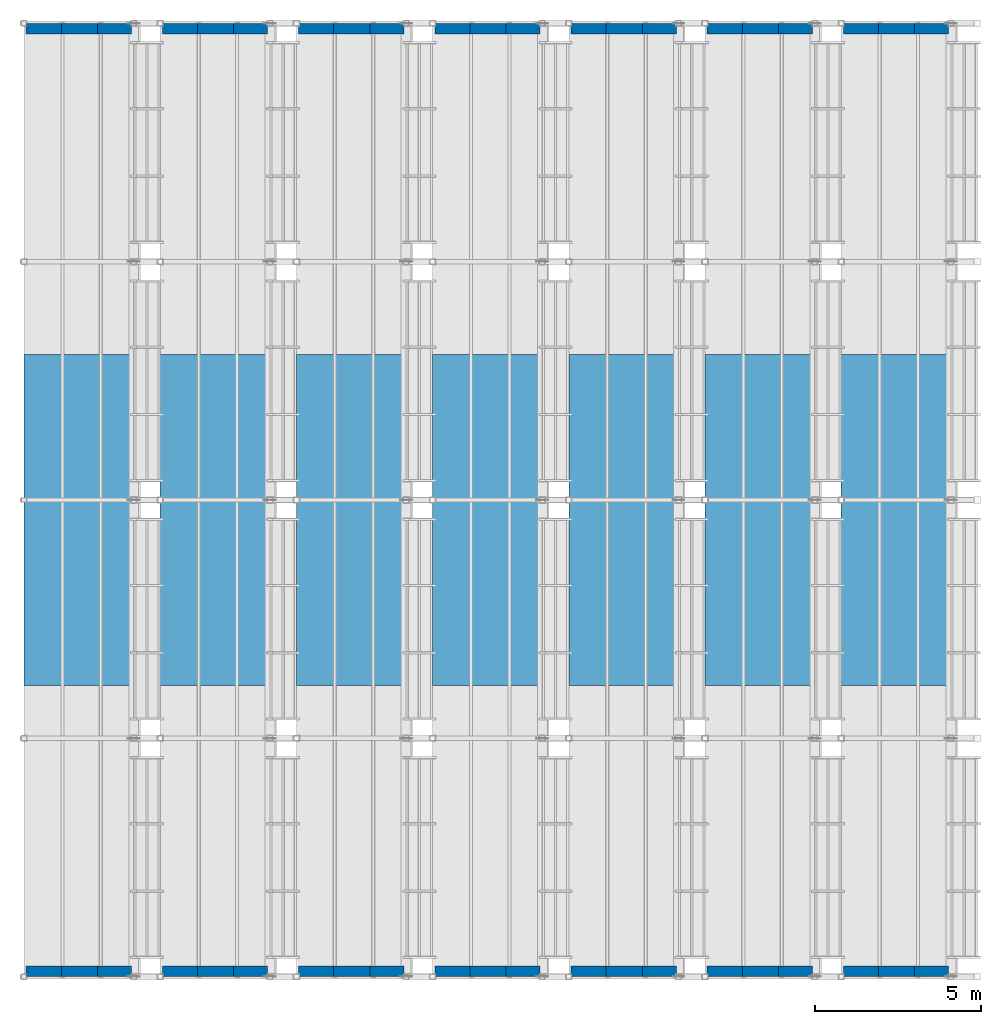
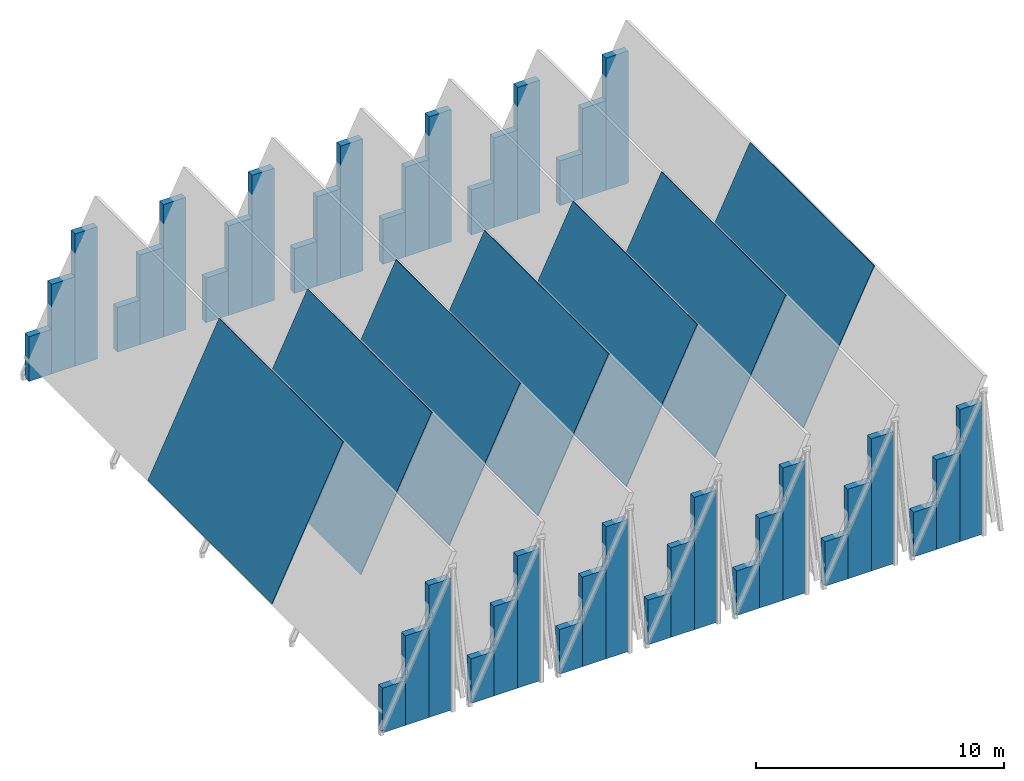
# One storey, part 28 of 28: 42 walls, 7 roofs.
"""IFC4 building model written with IfcOpenShell, lengths in metres."""

import ifcopenshell
import ifcopenshell.guid

model = None  # the IFC model being written
_history = None  # IfcOwnerHistory: only IFC2X3 demands one
_inside = {}  # id of a spatial element -> (the spatial element, [elements in it])
_under = {}  # id of a project, library or spatial element -> (it, [spatial elements below it])
_declared = {}  # id of a project -> (the project, [libraries it declares])
_typed = {}  # id of a type object -> (the type object, [elements of that type])
_made_of = {}  # id of a material, layer set ... -> (it, [elements and type objects made of it])


def new_model(schema):
    """Start an empty IFC model of exactly this schema.

    Asked for "IFC4X3", IfcOpenShell would pick the latest addendum, in which some entities
    have other attributes; the version numbers below select the first issue.
    IFC2X3 requires an IfcOwnerHistory on every rooted entity: one is made here for all.
    """
    global model, _history
    if schema == "IFC4X3":
        model = ifcopenshell.file(schema_version=(4, 3, 0, 0))
    else:
        model = ifcopenshell.file(schema=schema)
    _inside.clear()
    _under.clear()
    _declared.clear()
    _typed.clear()
    _made_of.clear()
    _history = None
    if model.schema == "IFC2X3":
        org = make("IfcOrganization", Name="unknown")
        user = make(
            "IfcPersonAndOrganization",
            ThePerson=make("IfcPerson", FamilyName="unknown"),
            TheOrganization=org,
        )
        app = make(
            "IfcApplication",
            ApplicationDeveloper=org,
            Version="unknown",
            ApplicationFullName="unknown",
            ApplicationIdentifier="unknown",
        )
        _history = make(
            "IfcOwnerHistory",
            OwningUser=user,
            OwningApplication=app,
            ChangeAction="ADDED",
            CreationDate=0,
        )
    return model


def make(cls, **values):
    """One entity of the class cls with the attributes given. An attribute that is None is left unset."""
    return model.create_entity(
        cls, **{name: value for name, value in values.items() if value is not None}
    )


def rooted(cls, **values):
    """An entity with a GlobalId (a new one), such as an element, a storey or a relation."""
    return make(cls, GlobalId=ifcopenshell.guid.new(), OwnerHistory=_history, **values)


def si_unit(unit_type, name, prefix=None):
    """IfcSIUnit, for example si_unit("LENGTHUNIT", "METRE", prefix="MILLI")."""
    return make("IfcSIUnit", UnitType=unit_type, Prefix=prefix, Name=name)


def assignment(units):
    """IfcUnitAssignment: the units of a project."""
    return None if units is None else make("IfcUnitAssignment", Units=units)


def point(xyz):
    """IfcCartesianPoint."""
    return None if xyz is None else make("IfcCartesianPoint", Coordinates=xyz)


def direction(xyz):
    """IfcDirection."""
    return None if xyz is None else make("IfcDirection", DirectionRatios=xyz)


def frame(location, z_axis=None, x_axis=None):
    """IfcAxis2Placement3D, a coordinate frame: its origin and axes. An axis left out is left unset."""
    return make(
        "IfcAxis2Placement3D",
        Location=point(location),
        Axis=direction(z_axis),
        RefDirection=direction(x_axis),
    )


def frame_2d(location, x_axis=None):
    """IfcAxis2Placement2D, a coordinate frame in the plane: its origin and x axis."""
    return make(
        "IfcAxis2Placement2D", Location=point(location), RefDirection=direction(x_axis)
    )


def origin():
    """The frame at (0, 0, 0) with its axes left unset."""
    return frame((0.0, 0.0, 0.0))


def place(relative_to, where):
    """IfcLocalPlacement: puts the frame where relative to a parent placement (None: the world)."""
    return make(
        "IfcLocalPlacement", PlacementRelTo=relative_to, RelativePlacement=where
    )


def context(
    kind, dimensions, precision=None, world=None, true_north=None, identifier=None
):
    """IfcGeometricRepresentationContext, for example the 3D "Model" context."""
    return make(
        "IfcGeometricRepresentationContext",
        ContextIdentifier=identifier,
        ContextType=kind,
        CoordinateSpaceDimension=dimensions,
        Precision=precision,
        WorldCoordinateSystem=world,
        TrueNorth=true_north,
    )


def subcontext(parent, identifier, kind, view, scale=None):
    """IfcGeometricRepresentationSubContext, for example "Body" below "Model"."""
    return make(
        "IfcGeometricRepresentationSubContext",
        ContextIdentifier=identifier,
        ContextType=kind,
        ParentContext=parent,
        TargetScale=scale,
        TargetView=view,
    )


def project(units=None, contexts=None):
    """IfcProject with its units and contexts."""
    return rooted(
        "IfcProject",
        Name="project",
        RepresentationContexts=contexts,
        UnitsInContext=assignment(units),
    )


def spatial(cls, under=None, at=None, **own):
    """A site, building, storey or space (cls), placed at a placement, below another one or the project."""
    s = rooted(cls, ObjectPlacement=at, **own)
    if under is not None:
        _under.setdefault(under.id(), (under, []))[1].append(s)
    return s


def polyline(points):
    """IfcPolyline through the points."""
    return make("IfcPolyline", Points=[point(p) for p in points])


def profile(cls, at=None, kind="AREA", **sizes):
    """A parametric profile (cls). Its sizes go by their IFC names, for example OverallWidth=200.0."""
    return make(cls, ProfileType=kind, Position=at, **sizes)


def rectangle(**sizes):
    """IfcRectangleProfileDef."""
    return profile("IfcRectangleProfileDef", **sizes)


def outline(outer, holes=None, kind="AREA"):
    """IfcArbitraryClosedProfileDef: a profile drawn as a closed curve; with holes, ...WithVoids."""
    if holes is None:
        return make("IfcArbitraryClosedProfileDef", ProfileType=kind, OuterCurve=outer)
    return make(
        "IfcArbitraryProfileDefWithVoids",
        ProfileType=kind,
        OuterCurve=outer,
        InnerCurves=holes,
    )


def extrude(swept, where, along, depth):
    """IfcExtrudedAreaSolid: the profile swept, set in the frame where, extruded along a direction by depth."""
    return make(
        "IfcExtrudedAreaSolid",
        SweptArea=swept,
        Position=where,
        ExtrudedDirection=direction(along),
        Depth=depth,
    )


def shape(context_of_items, identifier, shape_type, items):
    """IfcShapeRepresentation: the items that make up one representation, for example the "Body"."""
    return make(
        "IfcShapeRepresentation",
        ContextOfItems=context_of_items,
        RepresentationIdentifier=identifier,
        RepresentationType=shape_type,
        Items=items,
    )


def material(Name=None, Category=None):
    """IfcMaterial."""
    return make("IfcMaterial", Name=Name, Category=Category)


def layer(
    of_material, thickness, ventilated=None, Name=None, Category=None, Priority=None
):
    """IfcMaterialLayer: one layer of a wall or slab, of a material (None: an air gap)."""
    return make(
        "IfcMaterialLayer",
        Material=of_material,
        LayerThickness=thickness,
        IsVentilated=ventilated,
        Name=Name,
        Category=Category,
        Priority=Priority,
    )


def layer_set(layers, Name=None):
    """IfcMaterialLayerSet."""
    return make("IfcMaterialLayerSet", MaterialLayers=layers, LayerSetName=Name)


def made_of(thing, what):
    """Note that an element or type object is made of a material, layer set ...; save() writes the relation."""
    if what is not None:
        _made_of.setdefault(what.id(), (what, []))[1].append(thing)
    return thing


def type_object(cls, material=None, **own):
    """A type object (cls), such as IfcWallType, which elements share."""
    return made_of(rooted(cls, **own), material)


def element(
    cls,
    number,
    at=None,
    inside=None,
    cuts=None,
    type_object=None,
    material=None,
    context=None,
    identifier="Body",
    shape_type=None,
    held_by="IfcProductDefinitionShape",
    body=None,
    shapes=None,
    **own,
):
    """One element of the class cls, such as IfcWall. Its Tag is "e" and its number.

    at: its placement. inside: the storey or other place that contains it. cuts: it is an
    opening in that element (IfcRelVoidsElement). A single representation is given by context,
    identifier, shape_type and body (its items); several are given by shapes. held_by: the class
    of the entity that holds the representations. save() writes the other relations.
    """
    e = rooted(cls, Tag="e%d" % number, ObjectPlacement=at, **own)
    if body is not None:
        shapes = [shape(context, identifier, shape_type, body)]
    if shapes is not None:
        e.Representation = make(held_by, Representations=shapes)
    if inside is not None:
        _inside.setdefault(inside.id(), (inside, []))[1].append(e)
    if cuts is not None:
        rooted(
            "IfcRelVoidsElement", RelatingBuildingElement=cuts, RelatedOpeningElement=e
        )
    if type_object is not None:
        _typed.setdefault(type_object.id(), (type_object, []))[1].append(e)
    return made_of(e, material)


def aggregate(whole, parts):
    """IfcRelAggregates: a whole, such as a stair, and the parts it consists of."""
    return rooted("IfcRelAggregates", RelatingObject=whole, RelatedObjects=parts)


def save(model, path):
    """Write the relations noted so far, then the file.

    IfcRelAggregates (storeys below a building ...), IfcRelContainedInSpatialStructure (elements
    in a storey), IfcRelDefinesByType, IfcRelAssociatesMaterial and IfcRelDeclares: one each for
    every whole, place, type object, material and project.
    """
    for whole, parts in _under.values():
        aggregate(whole, parts)
    for where, things in _inside.values():
        rooted(
            "IfcRelContainedInSpatialStructure",
            RelatedElements=things,
            RelatingStructure=where,
        )
    for kind, things in _typed.values():
        rooted("IfcRelDefinesByType", RelatedObjects=things, RelatingType=kind)
    for what, things in _made_of.values():
        rooted("IfcRelAssociatesMaterial", RelatedObjects=things, RelatingMaterial=what)
    for by, libraries in _declared.values():
        rooted("IfcRelDeclares", RelatingContext=by, RelatedDefinitions=libraries)
    model.write(path)


model = new_model("IFC4")

# Units and contexts
model_context = context("Model", 3, precision=1e-05, world=origin(), true_north=direction((0.0, 1.0)))
body_context = subcontext(model_context, "Body", "Model", "MODEL_VIEW")
ifc_project = project(units=[si_unit("LENGTHUNIT", "METRE"), si_unit("AREAUNIT", "SQUARE_METRE"), si_unit("VOLUMEUNIT", "CUBIC_METRE"), si_unit("PLANEANGLEUNIT", "RADIAN"), si_unit("MASSUNIT", "GRAM", prefix="KILO")], contexts=[model_context])

# Site, building, storey
site_placement = place(None, origin())
site = spatial("IfcSite", under=ifc_project, at=site_placement, CompositionType="ELEMENT")
building_placement = place(site_placement, origin())
building = spatial("IfcBuilding", under=site, at=building_placement, Name="Bramveld Media Centre", CompositionType="ELEMENT")
storey_placement = place(building_placement, frame((0.0, 0.0, 33.89990234375)))
storey = spatial("IfcBuildingStorey", under=building, at=storey_placement, Name="ROOF", CompositionType="ELEMENT", Elevation=33.89990234375)

# Walls
ifc_material_1 = material(Name="Precast concrete C40/50 & brick-slip faceted bay cheek wall", Category="masonry")
ifc_layer_1 = layer(ifc_material_1, 0.320068359375)
ifc_layer_set_1 = layer_set([ifc_layer_1], Name="Precast concrete C40/50 & brick-slip faceted bay cheek wall")
wall_type = type_object("IfcWallType", Name="EW-FACET-320", PredefinedType="SOLIDWALL", material=ifc_layer_set_1)
for number, where, z_axis, x_axis, name in (
    (1, (132.326904296875, 83.360107421875, 0.0), (0.0, 0.0, 1.0), (-1.0, 0.0, 0.0), "V7 jagged crown gable brick spandrel S B1-1"),
    (2, (131.266357421875, 111.840087890625, 0.0), (0.0, 0.0, 1.0), (1.0, 0.0, 0.0), "V7 jagged crown gable brick spandrel N B1-1"),
):
    element("IfcWall", number, at=place(storey_placement, frame(where, z_axis=z_axis, x_axis=x_axis)), inside=storey, type_object=wall_type, Name=name, PredefinedType="SOLIDWALL", context=body_context, shape_type="SweptSolid", body=[
        extrude(rectangle(XDim=1.060546875, YDim=0.320068359375, at=frame_2d((0.5302734375, 0.0))), origin(), (0.0, 0.0, 1.0), 2.2001953125),
    ])
for number, where, z_axis, x_axis, name in (
    (3, (133.420654296875, 83.360107421875, 0.0), (0.0, 0.0, 1.0), (-1.0, 0.0, 0.0), "V7 jagged crown gable brick spandrel S B1-2"),
    (4, (132.326904296875, 111.840087890625, 0.0), (0.0, 0.0, 1.0), (1.0, 0.0, 0.0), "V7 jagged crown gable brick spandrel N B1-2"),
):
    element("IfcWall", number, at=place(storey_placement, frame(where, z_axis=z_axis, x_axis=x_axis)), inside=storey, type_object=wall_type, Name=name, PredefinedType="SOLIDWALL", context=body_context, shape_type="SweptSolid", body=[
        extrude(rectangle(XDim=1.09375, YDim=0.320068359375, at=frame_2d((0.546875, 0.0))), origin(), (0.0, 0.0, 1.0), 4.400146484375),
    ])
for number, where, z_axis, x_axis, name in (
    (5, (134.447998046875, 83.360107421875, 0.0), (0.0, 0.0, 1.0), (-1.0, 0.0, 0.0), "V7 jagged crown gable brick spandrel S B1-3"),
    (6, (133.420654296875, 111.840087890625, 0.0), (0.0, 0.0, 1.0), (1.0, 0.0, 0.0), "V7 jagged crown gable brick spandrel N B1-3"),
):
    element("IfcWall", number, at=place(storey_placement, frame(where, z_axis=z_axis, x_axis=x_axis)), inside=storey, type_object=wall_type, Name=name, PredefinedType="SOLIDWALL", context=body_context, shape_type="SweptSolid", body=[
        extrude(rectangle(XDim=1.02734375, YDim=0.320068359375, at=frame_2d((0.513671875, 0.0))), origin(), (0.0, 0.0, 1.0), 6.5),
    ])
for number, where, z_axis, x_axis, name in (
    (7, (136.441162109375, 83.360107421875, 0.0), (0.0, 0.0, 1.0), (-1.0, 0.0, 0.0), "V7 jagged crown gable brick spandrel S B2-1"),
    (8, (135.380615234375, 111.840087890625, 0.0), (0.0, 0.0, 1.0), (1.0, 0.0, 0.0), "V7 jagged crown gable brick spandrel N B2-1"),
):
    element("IfcWall", number, at=place(storey_placement, frame(where, z_axis=z_axis, x_axis=x_axis)), inside=storey, type_object=wall_type, Name=name, PredefinedType="SOLIDWALL", context=body_context, shape_type="SweptSolid", body=[
        extrude(rectangle(XDim=1.060546875, YDim=0.320068359375, at=frame_2d((0.5302734375, 0.0))), origin(), (0.0, 0.0, 1.0), 2.2001953125),
    ])
for number, where, z_axis, x_axis, name in (
    (9, (137.534912109375, 83.360107421875, 0.0), (0.0, 0.0, 1.0), (-1.0, 0.0, 0.0), "V7 jagged crown gable brick spandrel S B2-2"),
    (10, (136.441162109375, 111.840087890625, 0.0), (0.0, 0.0, 1.0), (1.0, 0.0, 0.0), "V7 jagged crown gable brick spandrel N B2-2"),
):
    element("IfcWall", number, at=place(storey_placement, frame(where, z_axis=z_axis, x_axis=x_axis)), inside=storey, type_object=wall_type, Name=name, PredefinedType="SOLIDWALL", context=body_context, shape_type="SweptSolid", body=[
        extrude(rectangle(XDim=1.09375, YDim=0.320068359375, at=frame_2d((0.546875, 0.0))), origin(), (0.0, 0.0, 1.0), 4.400146484375),
    ])
for number, where, z_axis, x_axis, name in (
    (11, (138.562255859375, 83.360107421875, 0.0), (0.0, 0.0, 1.0), (-1.0, 0.0, 0.0), "V7 jagged crown gable brick spandrel S B2-3"),
    (12, (137.534912109375, 111.840087890625, 0.0), (0.0, 0.0, 1.0), (1.0, 0.0, 0.0), "V7 jagged crown gable brick spandrel N B2-3"),
):
    element("IfcWall", number, at=place(storey_placement, frame(where, z_axis=z_axis, x_axis=x_axis)), inside=storey, type_object=wall_type, Name=name, PredefinedType="SOLIDWALL", context=body_context, shape_type="SweptSolid", body=[
        extrude(rectangle(XDim=1.02734375, YDim=0.320068359375, at=frame_2d((0.513671875, 0.0))), origin(), (0.0, 0.0, 1.0), 6.5),
    ])
for number, where, z_axis, x_axis, name in (
    (13, (140.555419921875, 83.360107421875, 0.0), (0.0, 0.0, 1.0), (-1.0, 0.0, 0.0), "V7 jagged crown gable brick spandrel S B3-1"),
    (14, (139.494873046875, 111.840087890625, 0.0), (0.0, 0.0, 1.0), (1.0, 0.0, 0.0), "V7 jagged crown gable brick spandrel N B3-1"),
):
    element("IfcWall", number, at=place(storey_placement, frame(where, z_axis=z_axis, x_axis=x_axis)), inside=storey, type_object=wall_type, Name=name, PredefinedType="SOLIDWALL", context=body_context, shape_type="SweptSolid", body=[
        extrude(rectangle(XDim=1.060546875, YDim=0.320068359375, at=frame_2d((0.5302734375, 0.0))), origin(), (0.0, 0.0, 1.0), 2.2001953125),
    ])
for number, where, z_axis, x_axis, name in (
    (15, (141.649169921875, 83.360107421875, 0.0), (0.0, 0.0, 1.0), (-1.0, 0.0, 0.0), "V7 jagged crown gable brick spandrel S B3-2"),
    (16, (140.555419921875, 111.840087890625, 0.0), (0.0, 0.0, 1.0), (1.0, 0.0, 0.0), "V7 jagged crown gable brick spandrel N B3-2"),
):
    element("IfcWall", number, at=place(storey_placement, frame(where, z_axis=z_axis, x_axis=x_axis)), inside=storey, type_object=wall_type, Name=name, PredefinedType="SOLIDWALL", context=body_context, shape_type="SweptSolid", body=[
        extrude(rectangle(XDim=1.09375, YDim=0.320068359375, at=frame_2d((0.546875, 0.0))), origin(), (0.0, 0.0, 1.0), 4.400146484375),
    ])
for number, where, z_axis, x_axis, name in (
    (17, (142.676513671875, 83.360107421875, 0.0), (0.0, 0.0, 1.0), (-1.0, 0.0, 0.0), "V7 jagged crown gable brick spandrel S B3-3"),
    (18, (141.649169921875, 111.840087890625, 0.0), (0.0, 0.0, 1.0), (1.0, 0.0, 0.0), "V7 jagged crown gable brick spandrel N B3-3"),
):
    element("IfcWall", number, at=place(storey_placement, frame(where, z_axis=z_axis, x_axis=x_axis)), inside=storey, type_object=wall_type, Name=name, PredefinedType="SOLIDWALL", context=body_context, shape_type="SweptSolid", body=[
        extrude(rectangle(XDim=1.02734375, YDim=0.320068359375, at=frame_2d((0.513671875, 0.0))), origin(), (0.0, 0.0, 1.0), 6.5),
    ])
for number, where, z_axis, x_axis, name in (
    (19, (144.669677734375, 83.360107421875, 0.0), (0.0, 0.0, 1.0), (-1.0, 0.0, 0.0), "V7 jagged crown gable brick spandrel S B4-1"),
    (20, (143.609130859375, 111.840087890625, 0.0), (0.0, 0.0, 1.0), (1.0, 0.0, 0.0), "V7 jagged crown gable brick spandrel N B4-1"),
):
    element("IfcWall", number, at=place(storey_placement, frame(where, z_axis=z_axis, x_axis=x_axis)), inside=storey, type_object=wall_type, Name=name, PredefinedType="SOLIDWALL", context=body_context, shape_type="SweptSolid", body=[
        extrude(rectangle(XDim=1.060546875, YDim=0.320068359375, at=frame_2d((0.5302734375, 0.0))), origin(), (0.0, 0.0, 1.0), 2.2001953125),
    ])
for number, where, z_axis, x_axis, name in (
    (21, (145.763427734375, 83.360107421875, 0.0), (0.0, 0.0, 1.0), (-1.0, 0.0, 0.0), "V7 jagged crown gable brick spandrel S B4-2"),
    (22, (144.669677734375, 111.840087890625, 0.0), (0.0, 0.0, 1.0), (1.0, 0.0, 0.0), "V7 jagged crown gable brick spandrel N B4-2"),
):
    element("IfcWall", number, at=place(storey_placement, frame(where, z_axis=z_axis, x_axis=x_axis)), inside=storey, type_object=wall_type, Name=name, PredefinedType="SOLIDWALL", context=body_context, shape_type="SweptSolid", body=[
        extrude(rectangle(XDim=1.09375, YDim=0.320068359375, at=frame_2d((0.546875, 0.0))), origin(), (0.0, 0.0, 1.0), 4.400146484375),
    ])
for number, where, z_axis, x_axis, name in (
    (23, (146.791015625, 83.360107421875, 0.0), (0.0, 0.0, 1.0), (-1.0, 0.0, 0.0), "V7 jagged crown gable brick spandrel S B4-3"),
    (24, (145.763427734375, 111.840087890625, 0.0), (0.0, 0.0, 1.0), (1.0, 0.0, 0.0), "V7 jagged crown gable brick spandrel N B4-3"),
):
    element("IfcWall", number, at=place(storey_placement, frame(where, z_axis=z_axis, x_axis=x_axis)), inside=storey, type_object=wall_type, Name=name, PredefinedType="SOLIDWALL", context=body_context, shape_type="SweptSolid", body=[
        extrude(rectangle(XDim=1.027587890625, YDim=0.320068359375, at=frame_2d((0.513671875, 0.0))), origin(), (0.0, 0.0, 1.0), 6.5),
    ])
for number, where, z_axis, x_axis, name in (
    (25, (148.783935546875, 83.360107421875, 0.0), (0.0, 0.0, 1.0), (-1.0, 0.0, 0.0), "V7 jagged crown gable brick spandrel S B5-1"),
    (26, (147.723388671875, 111.840087890625, 0.0), (0.0, 0.0, 1.0), (1.0, 0.0, 0.0), "V7 jagged crown gable brick spandrel N B5-1"),
):
    element("IfcWall", number, at=place(storey_placement, frame(where, z_axis=z_axis, x_axis=x_axis)), inside=storey, type_object=wall_type, Name=name, PredefinedType="SOLIDWALL", context=body_context, shape_type="SweptSolid", body=[
        extrude(rectangle(XDim=1.060546875, YDim=0.320068359375, at=frame_2d((0.5302734375, 0.0))), origin(), (0.0, 0.0, 1.0), 2.2001953125),
    ])
for number, where, z_axis, x_axis, name in (
    (27, (149.877685546875, 83.360107421875, 0.0), (0.0, 0.0, 1.0), (-1.0, 0.0, 0.0), "V7 jagged crown gable brick spandrel S B5-2"),
    (28, (148.783935546875, 111.840087890625, 0.0), (0.0, 0.0, 1.0), (1.0, 0.0, 0.0), "V7 jagged crown gable brick spandrel N B5-2"),
):
    element("IfcWall", number, at=place(storey_placement, frame(where, z_axis=z_axis, x_axis=x_axis)), inside=storey, type_object=wall_type, Name=name, PredefinedType="SOLIDWALL", context=body_context, shape_type="SweptSolid", body=[
        extrude(rectangle(XDim=1.09375, YDim=0.320068359375, at=frame_2d((0.546875, 0.0))), origin(), (0.0, 0.0, 1.0), 4.400146484375),
    ])
for number, where, z_axis, x_axis, name in (
    (29, (150.905029296875, 83.360107421875, 0.0), (0.0, 0.0, 1.0), (-1.0, 0.0, 0.0), "V7 jagged crown gable brick spandrel S B5-3"),
    (30, (149.877685546875, 111.840087890625, 0.0), (0.0, 0.0, 1.0), (1.0, 0.0, 0.0), "V7 jagged crown gable brick spandrel N B5-3"),
):
    element("IfcWall", number, at=place(storey_placement, frame(where, z_axis=z_axis, x_axis=x_axis)), inside=storey, type_object=wall_type, Name=name, PredefinedType="SOLIDWALL", context=body_context, shape_type="SweptSolid", body=[
        extrude(rectangle(XDim=1.02734375, YDim=0.320068359375, at=frame_2d((0.513671875, 0.0))), origin(), (0.0, 0.0, 1.0), 6.5),
    ])
for number, where, z_axis, x_axis, name in (
    (31, (152.898193359375, 83.360107421875, 0.0), (0.0, 0.0, 1.0), (-1.0, 0.0, 0.0), "V7 jagged crown gable brick spandrel S B6-1"),
    (32, (151.837646484375, 111.840087890625, 0.0), (0.0, 0.0, 1.0), (1.0, 0.0, 0.0), "V7 jagged crown gable brick spandrel N B6-1"),
):
    element("IfcWall", number, at=place(storey_placement, frame(where, z_axis=z_axis, x_axis=x_axis)), inside=storey, type_object=wall_type, Name=name, PredefinedType="SOLIDWALL", context=body_context, shape_type="SweptSolid", body=[
        extrude(rectangle(XDim=1.060546875, YDim=0.320068359375, at=frame_2d((0.5302734375, 0.0))), origin(), (0.0, 0.0, 1.0), 2.2001953125),
    ])
for number, where, z_axis, x_axis, name in (
    (33, (153.991943359375, 83.360107421875, 0.0), (0.0, 0.0, 1.0), (-1.0, 0.0, 0.0), "V7 jagged crown gable brick spandrel S B6-2"),
    (34, (152.898193359375, 111.840087890625, 0.0), (0.0, 0.0, 1.0), (1.0, 0.0, 0.0), "V7 jagged crown gable brick spandrel N B6-2"),
):
    element("IfcWall", number, at=place(storey_placement, frame(where, z_axis=z_axis, x_axis=x_axis)), inside=storey, type_object=wall_type, Name=name, PredefinedType="SOLIDWALL", context=body_context, shape_type="SweptSolid", body=[
        extrude(rectangle(XDim=1.09375, YDim=0.320068359375, at=frame_2d((0.546875, 0.0))), origin(), (0.0, 0.0, 1.0), 4.400146484375),
    ])
for number, where, z_axis, x_axis, name in (
    (35, (155.019287109375, 83.360107421875, 0.0), (0.0, 0.0, 1.0), (-1.0, 0.0, 0.0), "V7 jagged crown gable brick spandrel S B6-3"),
    (36, (153.991943359375, 111.840087890625, 0.0), (0.0, 0.0, 1.0), (1.0, 0.0, 0.0), "V7 jagged crown gable brick spandrel N B6-3"),
):
    element("IfcWall", number, at=place(storey_placement, frame(where, z_axis=z_axis, x_axis=x_axis)), inside=storey, type_object=wall_type, Name=name, PredefinedType="SOLIDWALL", context=body_context, shape_type="SweptSolid", body=[
        extrude(rectangle(XDim=1.02734375, YDim=0.320068359375, at=frame_2d((0.513671875, 0.0))), origin(), (0.0, 0.0, 1.0), 6.5),
    ])
for number, where, z_axis, x_axis, name in (
    (37, (157.0126953125, 83.360107421875, 0.0), (0.0, 0.0, 1.0), (-1.0, 0.0, 0.0), "V7 jagged crown gable brick spandrel S B7-1"),
    (38, (155.951904296875, 111.840087890625, 0.0), (0.0, 0.0, 1.0), (1.0, 0.0, 0.0), "V7 jagged crown gable brick spandrel N B7-1"),
):
    element("IfcWall", number, at=place(storey_placement, frame(where, z_axis=z_axis, x_axis=x_axis)), inside=storey, type_object=wall_type, Name=name, PredefinedType="SOLIDWALL", context=body_context, shape_type="SweptSolid", body=[
        extrude(rectangle(XDim=1.060791015625, YDim=0.320068359375, at=frame_2d((0.5302734375, 0.0))), origin(), (0.0, 0.0, 1.0), 2.2001953125),
    ])
for number, where, z_axis, x_axis, name in (
    (39, (158.106201171875, 83.360107421875, 0.0), (0.0, 0.0, 1.0), (-1.0, 0.0, 0.0), "V7 jagged crown gable brick spandrel S B7-2"),
    (40, (157.0126953125, 111.840087890625, 0.0), (0.0, 0.0, 1.0), (1.0, 0.0, 0.0), "V7 jagged crown gable brick spandrel N B7-2"),
):
    element("IfcWall", number, at=place(storey_placement, frame(where, z_axis=z_axis, x_axis=x_axis)), inside=storey, type_object=wall_type, Name=name, PredefinedType="SOLIDWALL", context=body_context, shape_type="SweptSolid", body=[
        extrude(rectangle(XDim=1.093505859375, YDim=0.320068359375, at=frame_2d((0.546875, 0.0))), origin(), (0.0, 0.0, 1.0), 4.400146484375),
    ])
for number, where, z_axis, x_axis, name in (
    (41, (159.1337890625, 83.360107421875, 0.0), (0.0, 0.0, 1.0), (-1.0, 0.0, 0.0), "V7 jagged crown gable brick spandrel S B7-3"),
    (42, (158.106201171875, 111.840087890625, 0.0), (0.0, 0.0, 1.0), (1.0, 0.0, 0.0), "V7 jagged crown gable brick spandrel N B7-3"),
):
    element("IfcWall", number, at=place(storey_placement, frame(where, z_axis=z_axis, x_axis=x_axis)), inside=storey, type_object=wall_type, Name=name, PredefinedType="SOLIDWALL", context=body_context, shape_type="SweptSolid", body=[
        extrude(rectangle(XDim=1.027587890625, YDim=0.320068359375, at=frame_2d((0.513671875, 0.0))), origin(), (0.0, 0.0, 1.0), 6.5),
    ])

# Roofs
ifc_material_2 = material(Name="Precast concrete C40/50", Category="concrete")
ifc_layer_2 = layer(ifc_material_2, 0.219970703125)
ifc_layer_set_2 = layer_set([ifc_layer_2], Name="Precast concrete C40/50")
roof_type = type_object("IfcRoofType", Name="ROOF-SYS-GABLE", PredefinedType="GABLE_ROOF", material=ifc_layer_set_2)
for number, where, z_axis, x_axis, name in (
    (43, (131.199951171875, 92.0, 1.028076171875), (-0.899412333956, 0.0, 0.437101193692), (0.437101193692, 0.0, 0.899412333956), "V7 crown gable roof assembly bay 1"),
    (44, (135.314208984375, 92.0, 1.028076171875), (-0.899412333956, 0.0, 0.437101193692), (0.437101193692, 0.0, 0.899412333956), "V7 crown gable roof assembly bay 2"),
):
    element("IfcRoof", number, at=place(storey_placement, frame(where, z_axis=z_axis, x_axis=x_axis)), inside=storey, type_object=roof_type, Name=name, PredefinedType="GABLE_ROOF", context=body_context, shape_type="SweptSolid", body=[
        extrude(outline(polyline([(0.0, 0.0), (7.582805018221837, 0.0), (7.582805018221837, 10.000000000000002), (0.0, 10.000000000000002), (0.0, 0.0)])), origin(), (0.0, 0.0, -1.0), 0.050048828125),
    ])
for number, where, z_axis, x_axis, name in (
    (45, (139.4287109375, 92.0, 1.028076171875), (-0.899424991347, 0.0, 0.437075147934), (0.437075147934, 0.0, 0.899424991347), "V7 crown gable roof assembly bay 3"),
    (46, (143.54296875, 92.0, 1.028076171875), (-0.899424991347, 0.0, 0.437075147934), (0.437075147934, 0.0, 0.899424991347), "V7 crown gable roof assembly bay 4"),
):
    element("IfcRoof", number, at=place(storey_placement, frame(where, z_axis=z_axis, x_axis=x_axis)), inside=storey, type_object=roof_type, Name=name, PredefinedType="GABLE_ROOF", context=body_context, shape_type="SweptSolid", body=[
        extrude(outline(polyline([(0.0, 0.0), (7.582698307242612, 0.0), (7.582698307242612, 10.0), (0.0, 10.0), (0.0, 0.0)])), origin(), (0.0, 0.0, -1.0), 0.050048828125),
    ])
roof_placement = place(storey_placement, frame((147.656982421875, 92.0, 1.028076171875), z_axis=(-0.899412333956, 0.0, 0.437101193692), x_axis=(0.437101193692, 0.0, 0.899412333956)))
element("IfcRoof", 47, at=roof_placement, inside=storey, type_object=roof_type, Name="V7 crown gable roof assembly bay 5", PredefinedType="GABLE_ROOF", context=body_context, shape_type="SweptSolid", body=[
    extrude(outline(polyline([(0.0, 0.0), (7.582805018221837, 0.0), (7.582805018221837, 10.000000000000002), (0.0, 10.000000000000002), (0.0, 0.0)])), origin(), (0.0, 0.0, -1.0), 0.050048828125),
])
for number, where, z_axis, x_axis, name in (
    (48, (151.771484375, 92.0, 1.028076171875), (-0.899424991347, 0.0, 0.437075147934), (0.437075147934, 0.0, 0.899424991347), "V7 crown gable roof assembly bay 6"),
    (49, (155.8857421875, 92.0, 1.028076171875), (-0.899424991347, 0.0, 0.437075147934), (0.437075147934, 0.0, 0.899424991347), "V7 crown gable roof assembly bay 7"),
):
    element("IfcRoof", number, at=place(storey_placement, frame(where, z_axis=z_axis, x_axis=x_axis)), inside=storey, type_object=roof_type, Name=name, PredefinedType="GABLE_ROOF", context=body_context, shape_type="SweptSolid", body=[
        extrude(outline(polyline([(0.0, 0.0), (7.582698307242612, 0.0), (7.582698307242612, 10.0), (0.0, 10.0), (0.0, 0.0)])), origin(), (0.0, 0.0, -1.0), 0.050048828125),
    ])

save(model, "model.ifc")
